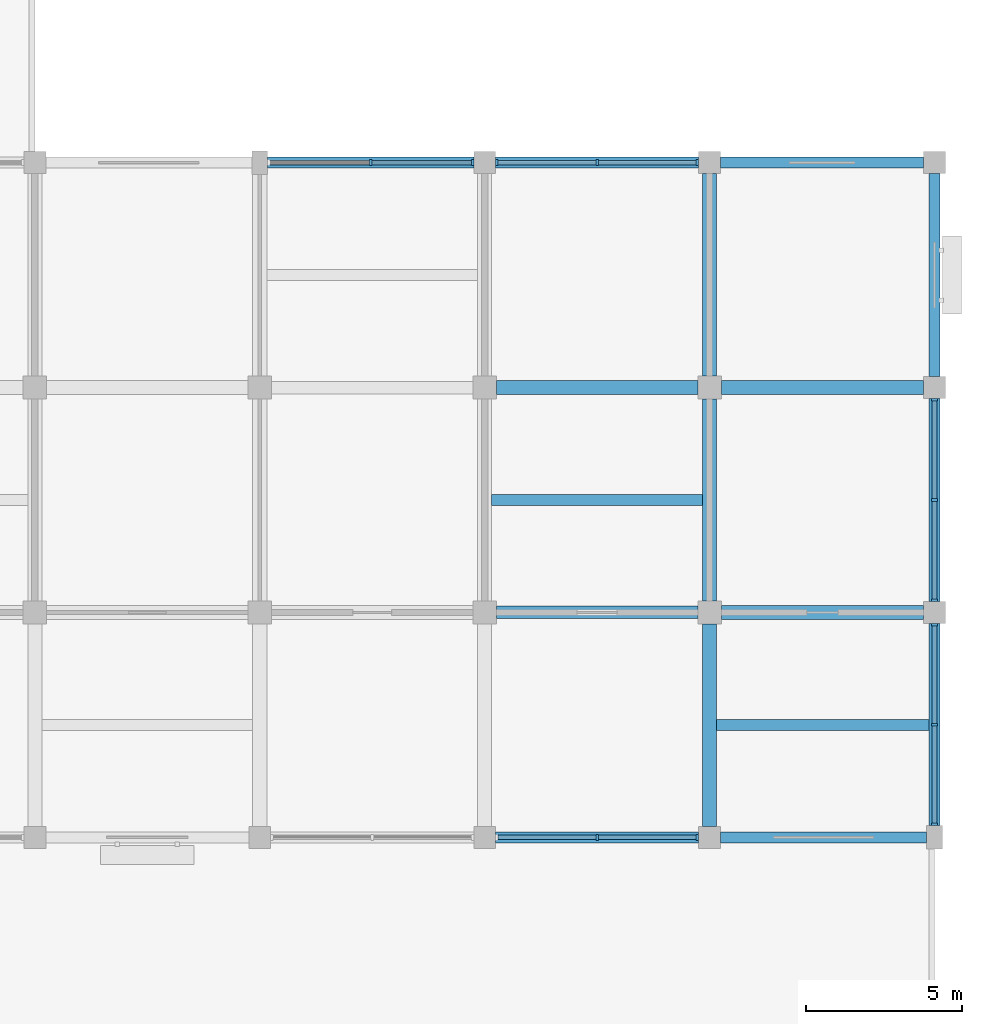
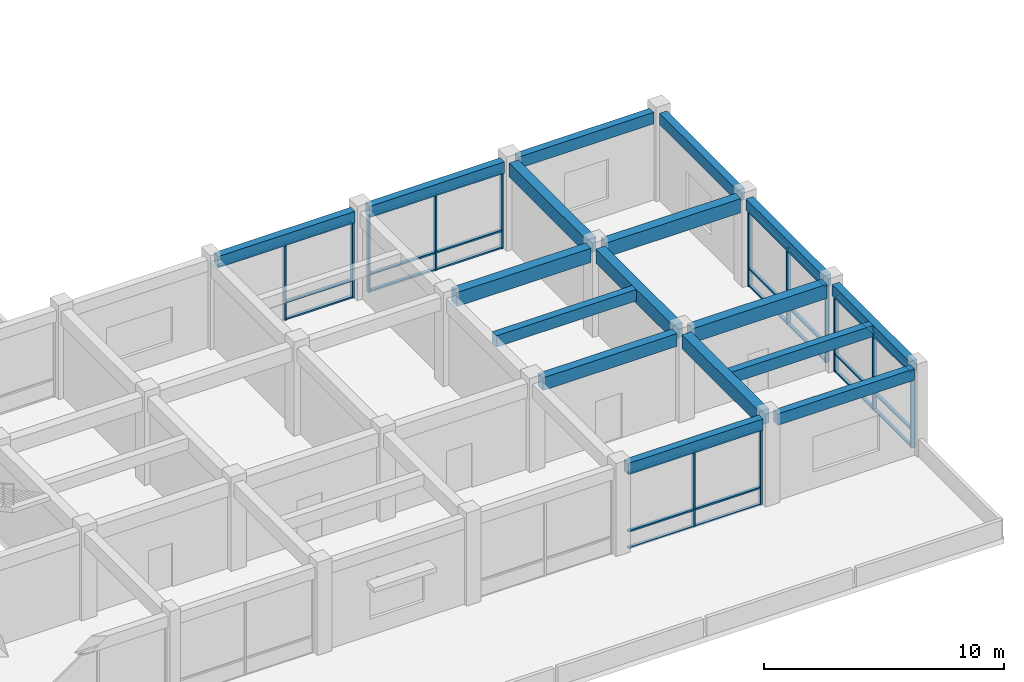
# One storey, part 13 of 30: 41 members, 17 beams, 5 elements without a shape of their own.
"""IFC4 building model written with IfcOpenShell, lengths in metres."""

from ifc_helpers import new_model, si_unit, direction, frame, origin, origin_2d, place, context, subcontext, project, spatial, rectangle, extrude, material, layer, layer_set, material_profile, profile_set, type_object, element, aggregate, save


model = new_model("IFC4")

# Units and contexts
model_context = context("Model", 3, precision=1e-05, world=origin(), true_north=direction((0.0, 1.0)))
body_context = subcontext(model_context, "Body", "Model", "MODEL_VIEW")
ifc_project = project(units=[si_unit("LENGTHUNIT", "METRE"), si_unit("AREAUNIT", "SQUARE_METRE"), si_unit("VOLUMEUNIT", "CUBIC_METRE"), si_unit("PLANEANGLEUNIT", "RADIAN"), si_unit("MASSUNIT", "GRAM", prefix="KILO")], contexts=[model_context])

# Site, building, storey
site_placement = place(None, origin())
site = spatial("IfcSite", under=ifc_project, at=site_placement, CompositionType="ELEMENT")
building_placement = place(site_placement, origin())
building = spatial("IfcBuilding", under=site, at=building_placement, Name="Cendaluz Park School", CompositionType="ELEMENT")
storey_placement = place(building_placement, frame((0.0, 0.0, 9.60009765625)))
storey = spatial("IfcBuildingStorey", under=building, at=storey_placement, Name="L02", CompositionType="ELEMENT", Elevation=9.60009765625)

# Beams
ifc_material_1 = material(Name="Concrete C40/50", Category="concrete")
ifc_material_profile_1 = material_profile(ifc_material_1, rectangle(XDim=0.449951171875, YDim=0.719970703125, at=origin_2d()), Name="RC 450x720", Category="concrete")
ifc_profile_set_1 = profile_set([ifc_material_profile_1], Name="Concrete C40/50")
beam_type_1 = type_object("IfcBeamType", Name="BM-RC02", PredefinedType="BEAM", material=ifc_profile_set_1)
beam_1_placement = place(storey_placement, frame((158.77490234375, 21.60009765625, 4.099853515625), z_axis=(1.0, 0.0, 0.0), x_axis=(0.0, 1.0, 0.0)))
element("IfcBeam", 1, at=beam_1_placement, inside=storey, type_object=beam_type_1, Name="BM-L02-BMRC02-0121", PredefinedType="BEAM", context=body_context, shape_type="SweptSolid", body=[
    extrude(rectangle(XDim=0.449951171875, YDim=0.719970703125, at=origin_2d()), origin(), (0.0, 0.0, 1.0), 6.4501953125),
])
for number, where, z_axis, x_axis, name in (
    (2, (165.97509765625, 14.39990234375, 4.099853515625), (1.0, 0.0, 0.0), (0.0, 1.0, 0.0), "BM-L02-BMRC02-0124"),
    (3, (165.97509765625, 21.60009765625, 4.099853515625), (1.0, 0.0, 0.0), (0.0, 1.0, 0.0), "BM-L02-BMRC02-0125"),
    (4, (165.60009765625, 7.550048828125, 4.099853515625), (0.0, 1.0, 0.0), (-1.0, 0.0, 0.0), "BM-L02-BMRC02-0238"),
):
    element("IfcBeam", number, at=place(storey_placement, frame(where, z_axis=z_axis, x_axis=x_axis)), inside=storey, type_object=beam_type_1, Name=name, PredefinedType="BEAM", context=body_context, shape_type="SweptSolid", body=[
        extrude(rectangle(XDim=0.449951171875, YDim=0.719970703125, at=origin_2d()), origin(), (0.0, 0.0, 1.0), 6.474853515625),
    ])
beam_2_placement = place(storey_placement, frame((165.60009765625, 14.77490234375, 4.099853515625), z_axis=(0.0, 1.0, 0.0), x_axis=(-1.0, 0.0, 0.0)))
element("IfcBeam", 5, at=beam_2_placement, inside=storey, type_object=beam_type_1, Name="BM-L02-BMRC02-0239", PredefinedType="BEAM", context=body_context, shape_type="SweptSolid", body=[
    extrude(rectangle(XDim=0.449951171875, YDim=0.719970703125, at=origin_2d()), origin(), (0.0, 0.0, 1.0), 6.4501953125),
])
beam_3_placement = place(storey_placement, frame((165.60009765625, 21.97509765625, 4.099853515625), z_axis=(0.0, 1.0, 0.0), x_axis=(-1.0, 0.0, 0.0)))
element("IfcBeam", 6, at=beam_3_placement, inside=storey, type_object=beam_type_1, Name="BM-L02-BMRC02-0240", PredefinedType="BEAM", context=body_context, shape_type="SweptSolid", body=[
    extrude(rectangle(XDim=0.449951171875, YDim=0.719970703125, at=origin_2d()), origin(), (0.0, 0.0, 1.0), 6.474853515625),
])
ifc_material_profile_2 = material_profile(ifc_material_1, rectangle(XDim=0.39990234375, YDim=0.64990234375, at=origin_2d()), Name="RC 400x650", Category="concrete")
ifc_profile_set_2 = profile_set([ifc_material_profile_2], Name="Concrete C40/50")
beam_type_2 = type_object("IfcBeamType", Name="BM-RC03", PredefinedType="T_BEAM", material=ifc_profile_set_2)
beam_4_placement = place(storey_placement, frame((158.77490234375, 14.39990234375, 4.135009765625), z_axis=(1.0, 0.0, 0.0), x_axis=(0.0, 1.0, 0.0)))
element("IfcBeam", 7, at=beam_4_placement, inside=storey, type_object=beam_type_2, Name="BM-L02-BMRC03-0120", PredefinedType="T_BEAM", context=body_context, shape_type="SweptSolid", body=[
    extrude(rectangle(XDim=0.39990234375, YDim=0.64990234375, at=origin_2d()), origin(), (0.0, 0.0, 1.0), 6.4501953125),
])
ifc_material_profile_3 = material_profile(ifc_material_1, rectangle(XDim=0.35009765625, YDim=0.580078125, at=origin_2d()), Name="RC 350x580", Category="concrete")
ifc_profile_set_3 = profile_set([ifc_material_profile_3], Name="Concrete C40/50")
beam_type_3 = type_object("IfcBeamType", Name="BM-RC04", PredefinedType="LINTEL", material=ifc_profile_set_3)
beam_5_placement = place(storey_placement, frame((151.449951171875, 28.800048828125, 4.169921875), z_axis=(1.0, 0.0, 0.0), x_axis=(0.0, 1.0, 0.0)))
element("IfcBeam", 8, at=beam_5_placement, inside=storey, type_object=beam_type_3, Name="BM-L02-BMRC04-0118", PredefinedType="LINTEL", context=body_context, shape_type="SweptSolid", body=[
    extrude(rectangle(XDim=0.35009765625, YDim=0.580078125, at=origin_2d()), origin(), (0.0, 0.0, 1.0), 6.60009765625),
])
for number, where, z_axis, x_axis, name in (
    (9, (158.75, 7.199951171875, 4.169921875), (1.0, 0.0, 0.0), (0.0, 1.0, 0.0), "BM-L02-BMRC04-0119"),
    (10, (158.75, 28.800048828125, 4.169921875), (1.0, 0.0, 0.0), (0.0, 1.0, 0.0), "BM-L02-BMRC04-0122"),
):
    element("IfcBeam", number, at=place(storey_placement, frame(where, z_axis=z_axis, x_axis=x_axis)), inside=storey, type_object=beam_type_3, Name=name, PredefinedType="LINTEL", context=body_context, shape_type="SweptSolid", body=[
        extrude(rectangle(XDim=0.35009765625, YDim=0.580078125, at=origin_2d()), origin(), (0.0, 0.0, 1.0), 6.5),
    ])
beam_6_placement = place(storey_placement, frame((165.949951171875, 7.199951171875, 4.169921875), z_axis=(1.0, 0.0, 0.0), x_axis=(0.0, 1.0, 0.0)))
element("IfcBeam", 11, at=beam_6_placement, inside=storey, type_object=beam_type_3, Name="BM-L02-BMRC04-0123", PredefinedType="LINTEL", context=body_context, shape_type="SweptSolid", body=[
    extrude(rectangle(XDim=0.35009765625, YDim=0.580078125, at=origin_2d()), origin(), (0.0, 0.0, 1.0), 6.60009765625),
])
beam_7_placement = place(storey_placement, frame((165.949951171875, 28.800048828125, 4.169921875), z_axis=(1.0, 0.0, 0.0), x_axis=(0.0, 1.0, 0.0)))
element("IfcBeam", 12, at=beam_7_placement, inside=storey, type_object=beam_type_3, Name="BM-L02-BMRC04-0126", PredefinedType="LINTEL", context=body_context, shape_type="SweptSolid", body=[
    extrude(rectangle(XDim=0.35009765625, YDim=0.580078125, at=origin_2d()), origin(), (0.0, 0.0, 1.0), 6.5),
])
beam_8_placement = place(storey_placement, frame((172.800048828125, 7.574951171875, 4.169921875), z_axis=(0.0, 1.0, 0.0), x_axis=(-1.0, 0.0, 0.0)))
element("IfcBeam", 13, at=beam_8_placement, inside=storey, type_object=beam_type_3, Name="BM-L02-BMRC04-0241", PredefinedType="LINTEL", context=body_context, shape_type="SweptSolid", body=[
    extrude(rectangle(XDim=0.35009765625, YDim=0.580078125, at=origin_2d()), origin(), (0.0, 0.0, 1.0), 6.47509765625),
])
for number, where, z_axis, x_axis, name in (
    (14, (172.800048828125, 14.75, 4.169921875), (0.0, 1.0, 0.0), (-1.0, 0.0, 0.0), "BM-L02-BMRC04-0242"),
    (15, (172.800048828125, 21.949951171875, 4.169921875), (0.0, 1.0, 0.0), (-1.0, 0.0, 0.0), "BM-L02-BMRC04-0243"),
):
    element("IfcBeam", number, at=place(storey_placement, frame(where, z_axis=z_axis, x_axis=x_axis)), inside=storey, type_object=beam_type_3, Name=name, PredefinedType="LINTEL", context=body_context, shape_type="SweptSolid", body=[
        extrude(rectangle(XDim=0.35009765625, YDim=0.580078125, at=origin_2d()), origin(), (0.0, 0.0, 1.0), 6.5),
    ])

# Curtain wall, members
ifc_material_2 = material(Name="Anodised Aluminium 6063-T6", Category="aluminium")
ifc_layer_1 = layer(ifc_material_2, 0.179931640625)
ifc_layer_set_1 = layer_set([ifc_layer_1], Name="Anodised Aluminium 6063-T6")
curtain_wall_type_1 = type_object("IfcCurtainWallType", Name="CW-132x78", PredefinedType="NOTDEFINED", material=ifc_layer_set_1)
curtain_wall_1_placement = place(storey_placement, origin())
curtain_wall_1 = element("IfcCurtainWall", 16, at=curtain_wall_1_placement, inside=storey, type_object=curtain_wall_type_1, Name="CW-L02-126", PredefinedType="NOTDEFINED")
ifc_material_profile_4 = material_profile(ifc_material_2, rectangle(XDim=0.199951171875, YDim=0.080078125, at=origin_2d()), Name="CWM 200x80", Category="aluminium")
ifc_profile_set_4 = profile_set([ifc_material_profile_4], Name="Anodised Aluminium 6063-T6")
member_type_1 = type_object("IfcMemberType", Name="CWM-02", PredefinedType="MULLION", material=ifc_profile_set_4)
member_1_placement = place(storey_placement, frame((154.75, 28.800048828125, 0.0), z_axis=(0.0, 0.0, 1.0), x_axis=(0.0, 1.0, 0.0)))
member_1 = element("IfcMember", 17, at=member_1_placement, type_object=member_type_1, Name="CP-L02-1627", PredefinedType="MULLION", context=body_context, shape_type="SweptSolid", body=[
    extrude(rectangle(XDim=0.199951171875, YDim=0.080078125, at=origin_2d()), origin(), (0.0, 0.0, 1.0), 3.8798828125),
])
member_2_placement = place(storey_placement, frame((158.010009765625, 28.800048828125, 0.0), z_axis=(0.0, 0.0, 1.0), x_axis=(0.0, 1.0, 0.0)))
member_2 = element("IfcMember", 18, at=member_2_placement, type_object=member_type_1, Name="CP-L02-1628", PredefinedType="MULLION", context=body_context, shape_type="SweptSolid", body=[
    extrude(rectangle(XDim=0.199951171875, YDim=0.080078125, at=origin_2d()), origin(), (0.0, 0.0, 1.0), 3.8798828125),
])

ifc_layer_2 = layer(ifc_material_2, 0.179931640625)
ifc_layer_set_2 = layer_set([ifc_layer_2], Name="Anodised Aluminium 6063-T6")
curtain_wall_type_2 = type_object("IfcCurtainWallType", Name="CW-130x78", PredefinedType="NOTDEFINED", material=ifc_layer_set_2)
curtain_wall_2_placement = place(storey_placement, origin())
curtain_wall_2 = element("IfcCurtainWall", 19, at=curtain_wall_2_placement, inside=storey, type_object=curtain_wall_type_2, Name="CW-L02-127", PredefinedType="NOTDEFINED")
member_3_placement = place(storey_placement, frame((162.0, 7.199951171875, 0.0), z_axis=(0.0, 0.0, 1.0), x_axis=(0.0, 1.0, 0.0)))
member_3 = element("IfcMember", 20, at=member_3_placement, type_object=member_type_1, Name="CP-L02-1640", PredefinedType="MULLION", context=body_context, shape_type="SweptSolid", body=[
    extrude(rectangle(XDim=0.199951171875, YDim=0.080078125, at=origin_2d()), origin(), (0.0, 0.0, 1.0), 3.8798828125),
])
member_4_placement = place(storey_placement, frame((165.2099609375, 7.199951171875, 0.0), z_axis=(0.0, 0.0, 1.0), x_axis=(0.0, 1.0, 0.0)))
member_4 = element("IfcMember", 21, at=member_4_placement, type_object=member_type_1, Name="CP-L02-1641", PredefinedType="MULLION", context=body_context, shape_type="SweptSolid", body=[
    extrude(rectangle(XDim=0.199951171875, YDim=0.080078125, at=origin_2d()), origin(), (0.0, 0.0, 1.0), 3.8798828125),
])

curtain_wall_3_placement = place(storey_placement, origin())
curtain_wall_3 = element("IfcCurtainWall", 22, at=curtain_wall_3_placement, inside=storey, type_object=curtain_wall_type_2, Name="CW-L02-128", PredefinedType="NOTDEFINED")
member_5_placement = place(storey_placement, frame((158.7900390625, 28.800048828125, 0.0), z_axis=(0.0, 0.0, 1.0), x_axis=(0.0, 1.0, 0.0)))
member_5 = element("IfcMember", 23, at=member_5_placement, type_object=member_type_1, Name="CP-L02-1652", PredefinedType="MULLION", context=body_context, shape_type="SweptSolid", body=[
    extrude(rectangle(XDim=0.199951171875, YDim=0.080078125, at=origin_2d()), origin(), (0.0, 0.0, 1.0), 3.8798828125),
])
member_6_placement = place(storey_placement, frame((162.0, 28.800048828125, 0.0), z_axis=(0.0, 0.0, 1.0), x_axis=(0.0, 1.0, 0.0)))
member_6 = element("IfcMember", 24, at=member_6_placement, type_object=member_type_1, Name="CP-L02-1653", PredefinedType="MULLION", context=body_context, shape_type="SweptSolid", body=[
    extrude(rectangle(XDim=0.199951171875, YDim=0.080078125, at=origin_2d()), origin(), (0.0, 0.0, 1.0), 3.8798828125),
])
member_7_placement = place(storey_placement, frame((165.2099609375, 28.800048828125, 0.0), z_axis=(0.0, 0.0, 1.0), x_axis=(0.0, 1.0, 0.0)))
member_7 = element("IfcMember", 25, at=member_7_placement, type_object=member_type_1, Name="CP-L02-1654", PredefinedType="MULLION", context=body_context, shape_type="SweptSolid", body=[
    extrude(rectangle(XDim=0.199951171875, YDim=0.080078125, at=origin_2d()), origin(), (0.0, 0.0, 1.0), 3.8798828125),
])

curtain_wall_4_placement = place(storey_placement, origin())
curtain_wall_4 = element("IfcCurtainWall", 26, at=curtain_wall_4_placement, inside=storey, type_object=curtain_wall_type_2, Name="CW-L02-129", PredefinedType="NOTDEFINED")
member_8_placement = place(storey_placement, frame((172.800048828125, 7.614990234375, 0.0), z_axis=(0.0, 0.0, 1.0), x_axis=(-1.0, 0.0, 0.0)))
member_8 = element("IfcMember", 27, at=member_8_placement, type_object=member_type_1, Name="CP-L02-1665", PredefinedType="MULLION", context=body_context, shape_type="SweptSolid", body=[
    extrude(rectangle(XDim=0.199951171875, YDim=0.080078125, at=origin_2d()), origin(), (0.0, 0.0, 1.0), 3.8798828125),
])
member_9_placement = place(storey_placement, frame((172.800048828125, 10.8125, 0.0), z_axis=(0.0, 0.0, 1.0), x_axis=(-1.0, 0.0, 0.0)))
member_9 = element("IfcMember", 28, at=member_9_placement, type_object=member_type_1, Name="CP-L02-1666", PredefinedType="MULLION", context=body_context, shape_type="SweptSolid", body=[
    extrude(rectangle(XDim=0.199951171875, YDim=0.080078125, at=origin_2d()), origin(), (0.0, 0.0, 1.0), 3.8798828125),
])
member_10_placement = place(storey_placement, frame((172.800048828125, 14.010009765625, 0.0), z_axis=(0.0, 0.0, 1.0), x_axis=(-1.0, 0.0, 0.0)))
member_10 = element("IfcMember", 29, at=member_10_placement, type_object=member_type_1, Name="CP-L02-1667", PredefinedType="MULLION", context=body_context, shape_type="SweptSolid", body=[
    extrude(rectangle(XDim=0.199951171875, YDim=0.080078125, at=origin_2d()), origin(), (0.0, 0.0, 1.0), 3.8798828125),
])

curtain_wall_5_placement = place(storey_placement, origin())
curtain_wall_5 = element("IfcCurtainWall", 30, at=curtain_wall_5_placement, inside=storey, type_object=curtain_wall_type_2, Name="CW-L02-130", PredefinedType="NOTDEFINED")
member_11_placement = place(storey_placement, frame((172.800048828125, 14.7900390625, 0.0), z_axis=(0.0, 0.0, 1.0), x_axis=(-1.0, 0.0, 0.0)))
member_11 = element("IfcMember", 31, at=member_11_placement, type_object=member_type_1, Name="CP-L02-1678", PredefinedType="MULLION", context=body_context, shape_type="SweptSolid", body=[
    extrude(rectangle(XDim=0.199951171875, YDim=0.080078125, at=origin_2d()), origin(), (0.0, 0.0, 1.0), 3.8798828125),
])
member_12_placement = place(storey_placement, frame((172.800048828125, 18.0, 0.0), z_axis=(0.0, 0.0, 1.0), x_axis=(-1.0, 0.0, 0.0)))
member_12 = element("IfcMember", 32, at=member_12_placement, type_object=member_type_1, Name="CP-L02-1679", PredefinedType="MULLION", context=body_context, shape_type="SweptSolid", body=[
    extrude(rectangle(XDim=0.199951171875, YDim=0.080078125, at=origin_2d()), origin(), (0.0, 0.0, 1.0), 3.8798828125),
])
member_13_placement = place(storey_placement, frame((172.800048828125, 21.2099609375, 0.0), z_axis=(0.0, 0.0, 1.0), x_axis=(-1.0, 0.0, 0.0)))
member_13 = element("IfcMember", 33, at=member_13_placement, type_object=member_type_1, Name="CP-L02-1680", PredefinedType="MULLION", context=body_context, shape_type="SweptSolid", body=[
    extrude(rectangle(XDim=0.199951171875, YDim=0.080078125, at=origin_2d()), origin(), (0.0, 0.0, 1.0), 3.8798828125),
])

# Member
ifc_material_profile_5 = material_profile(ifc_material_2, rectangle(XDim=0.14990234375, YDim=0.080078125, at=origin_2d()), Name="CWT 150x80", Category="aluminium")
ifc_profile_set_5 = profile_set([ifc_material_profile_5], Name="Anodised Aluminium 6063-T6")
member_type_2 = type_object("IfcMemberType", Name="CWT-02", PredefinedType="USERDEFINED", material=ifc_profile_set_5)
member_14_placement = place(storey_placement, frame((151.530029296875, 28.800048828125, 3.83984375), z_axis=(1.0, 0.0, 0.0), x_axis=(0.0, 1.0, 0.0)))
member_14 = element("IfcMember", 34, at=member_14_placement, type_object=member_type_2, Name="CP-L02-1631", ObjectType="TRANSOM", PredefinedType="USERDEFINED", context=body_context, shape_type="SweptSolid", body=[
    extrude(rectangle(XDim=0.14990234375, YDim=0.080078125, at=origin_2d()), origin(), (0.0, 0.0, 1.0), 3.179931640625),
])

member_15_placement = place(storey_placement, frame((154.7900390625, 28.800048828125, 0.039794921875), z_axis=(1.0, 0.0, 0.0), x_axis=(0.0, 1.0, 0.0)))
member_15 = element("IfcMember", 35, at=member_15_placement, type_object=member_type_2, Name="CP-L02-1634", ObjectType="TRANSOM", PredefinedType="USERDEFINED", context=body_context, shape_type="SweptSolid", body=[
    extrude(rectangle(XDim=0.14990234375, YDim=0.080078125, at=origin_2d()), origin(), (0.0, 0.0, 1.0), 3.179931640625),
])

member_16_placement = place(storey_placement, frame((154.7900390625, 28.800048828125, 0.89990234375), z_axis=(1.0, 0.0, 0.0), x_axis=(0.0, 1.0, 0.0)))
member_16 = element("IfcMember", 36, at=member_16_placement, type_object=member_type_2, Name="CP-L02-1635", ObjectType="TRANSOM", PredefinedType="USERDEFINED", context=body_context, shape_type="SweptSolid", body=[
    extrude(rectangle(XDim=0.14990234375, YDim=0.080078125, at=origin_2d()), origin(), (0.0, 0.0, 1.0), 3.179931640625),
])

member_17_placement = place(storey_placement, frame((154.7900390625, 28.800048828125, 3.83984375), z_axis=(1.0, 0.0, 0.0), x_axis=(0.0, 1.0, 0.0)))
member_17 = element("IfcMember", 37, at=member_17_placement, type_object=member_type_2, Name="CP-L02-1636", ObjectType="TRANSOM", PredefinedType="USERDEFINED", context=body_context, shape_type="SweptSolid", body=[
    extrude(rectangle(XDim=0.14990234375, YDim=0.080078125, at=origin_2d()), origin(), (0.0, 0.0, 1.0), 3.179931640625),
])

aggregate(curtain_wall_1, [member_1, member_2, member_14, member_15, member_16, member_17])

member_18_placement = place(storey_placement, frame((158.830078125, 7.199951171875, 0.039794921875), z_axis=(1.0, 0.0, 0.0), x_axis=(0.0, 1.0, 0.0)))
member_18 = element("IfcMember", 38, at=member_18_placement, type_object=member_type_2, Name="CP-L02-1642", ObjectType="TRANSOM", PredefinedType="USERDEFINED", context=body_context, shape_type="SweptSolid", body=[
    extrude(rectangle(XDim=0.14990234375, YDim=0.080078125, at=origin_2d()), origin(), (0.0, 0.0, 1.0), 3.1298828125),
])

member_19_placement = place(storey_placement, frame((158.830078125, 7.199951171875, 0.89990234375), z_axis=(1.0, 0.0, 0.0), x_axis=(0.0, 1.0, 0.0)))
member_19 = element("IfcMember", 39, at=member_19_placement, type_object=member_type_2, Name="CP-L02-1643", ObjectType="TRANSOM", PredefinedType="USERDEFINED", context=body_context, shape_type="SweptSolid", body=[
    extrude(rectangle(XDim=0.14990234375, YDim=0.080078125, at=origin_2d()), origin(), (0.0, 0.0, 1.0), 3.1298828125),
])

member_20_placement = place(storey_placement, frame((158.830078125, 7.199951171875, 3.83984375), z_axis=(1.0, 0.0, 0.0), x_axis=(0.0, 1.0, 0.0)))
member_20 = element("IfcMember", 40, at=member_20_placement, type_object=member_type_2, Name="CP-L02-1644", ObjectType="TRANSOM", PredefinedType="USERDEFINED", context=body_context, shape_type="SweptSolid", body=[
    extrude(rectangle(XDim=0.14990234375, YDim=0.080078125, at=origin_2d()), origin(), (0.0, 0.0, 1.0), 3.1298828125),
])

member_21_placement = place(storey_placement, frame((162.0400390625, 7.199951171875, 0.039794921875), z_axis=(1.0, 0.0, 0.0), x_axis=(0.0, 1.0, 0.0)))
member_21 = element("IfcMember", 41, at=member_21_placement, type_object=member_type_2, Name="CP-L02-1647", ObjectType="TRANSOM", PredefinedType="USERDEFINED", context=body_context, shape_type="SweptSolid", body=[
    extrude(rectangle(XDim=0.14990234375, YDim=0.080078125, at=origin_2d()), origin(), (0.0, 0.0, 1.0), 3.1298828125),
])

member_22_placement = place(storey_placement, frame((162.0400390625, 7.199951171875, 0.89990234375), z_axis=(1.0, 0.0, 0.0), x_axis=(0.0, 1.0, 0.0)))
member_22 = element("IfcMember", 42, at=member_22_placement, type_object=member_type_2, Name="CP-L02-1648", ObjectType="TRANSOM", PredefinedType="USERDEFINED", context=body_context, shape_type="SweptSolid", body=[
    extrude(rectangle(XDim=0.14990234375, YDim=0.080078125, at=origin_2d()), origin(), (0.0, 0.0, 1.0), 3.1298828125),
])

member_23_placement = place(storey_placement, frame((162.0400390625, 7.199951171875, 3.83984375), z_axis=(1.0, 0.0, 0.0), x_axis=(0.0, 1.0, 0.0)))
member_23 = element("IfcMember", 43, at=member_23_placement, type_object=member_type_2, Name="CP-L02-1649", ObjectType="TRANSOM", PredefinedType="USERDEFINED", context=body_context, shape_type="SweptSolid", body=[
    extrude(rectangle(XDim=0.14990234375, YDim=0.080078125, at=origin_2d()), origin(), (0.0, 0.0, 1.0), 3.1298828125),
])

aggregate(curtain_wall_2, [member_3, member_4, member_18, member_19, member_20, member_21, member_22, member_23])

member_24_placement = place(storey_placement, frame((158.830078125, 28.800048828125, 0.039794921875), z_axis=(1.0, 0.0, 0.0), x_axis=(0.0, 1.0, 0.0)))
member_24 = element("IfcMember", 44, at=member_24_placement, type_object=member_type_2, Name="CP-L02-1655", ObjectType="TRANSOM", PredefinedType="USERDEFINED", context=body_context, shape_type="SweptSolid", body=[
    extrude(rectangle(XDim=0.14990234375, YDim=0.080078125, at=origin_2d()), origin(), (0.0, 0.0, 1.0), 3.1298828125),
])

member_25_placement = place(storey_placement, frame((158.830078125, 28.800048828125, 0.89990234375), z_axis=(1.0, 0.0, 0.0), x_axis=(0.0, 1.0, 0.0)))
member_25 = element("IfcMember", 45, at=member_25_placement, type_object=member_type_2, Name="CP-L02-1656", ObjectType="TRANSOM", PredefinedType="USERDEFINED", context=body_context, shape_type="SweptSolid", body=[
    extrude(rectangle(XDim=0.14990234375, YDim=0.080078125, at=origin_2d()), origin(), (0.0, 0.0, 1.0), 3.1298828125),
])

member_26_placement = place(storey_placement, frame((158.830078125, 28.800048828125, 3.83984375), z_axis=(1.0, 0.0, 0.0), x_axis=(0.0, 1.0, 0.0)))
member_26 = element("IfcMember", 46, at=member_26_placement, type_object=member_type_2, Name="CP-L02-1657", ObjectType="TRANSOM", PredefinedType="USERDEFINED", context=body_context, shape_type="SweptSolid", body=[
    extrude(rectangle(XDim=0.14990234375, YDim=0.080078125, at=origin_2d()), origin(), (0.0, 0.0, 1.0), 3.1298828125),
])

member_27_placement = place(storey_placement, frame((162.0400390625, 28.800048828125, 0.039794921875), z_axis=(1.0, 0.0, 0.0), x_axis=(0.0, 1.0, 0.0)))
member_27 = element("IfcMember", 47, at=member_27_placement, type_object=member_type_2, Name="CP-L02-1660", ObjectType="TRANSOM", PredefinedType="USERDEFINED", context=body_context, shape_type="SweptSolid", body=[
    extrude(rectangle(XDim=0.14990234375, YDim=0.080078125, at=origin_2d()), origin(), (0.0, 0.0, 1.0), 3.1298828125),
])

member_28_placement = place(storey_placement, frame((162.0400390625, 28.800048828125, 0.89990234375), z_axis=(1.0, 0.0, 0.0), x_axis=(0.0, 1.0, 0.0)))
member_28 = element("IfcMember", 48, at=member_28_placement, type_object=member_type_2, Name="CP-L02-1661", ObjectType="TRANSOM", PredefinedType="USERDEFINED", context=body_context, shape_type="SweptSolid", body=[
    extrude(rectangle(XDim=0.14990234375, YDim=0.080078125, at=origin_2d()), origin(), (0.0, 0.0, 1.0), 3.1298828125),
])

member_29_placement = place(storey_placement, frame((162.0400390625, 28.800048828125, 3.83984375), z_axis=(1.0, 0.0, 0.0), x_axis=(0.0, 1.0, 0.0)))
member_29 = element("IfcMember", 49, at=member_29_placement, type_object=member_type_2, Name="CP-L02-1662", ObjectType="TRANSOM", PredefinedType="USERDEFINED", context=body_context, shape_type="SweptSolid", body=[
    extrude(rectangle(XDim=0.14990234375, YDim=0.080078125, at=origin_2d()), origin(), (0.0, 0.0, 1.0), 3.1298828125),
])

aggregate(curtain_wall_3, [member_5, member_6, member_7, member_24, member_25, member_26, member_27, member_28, member_29])

member_30_placement = place(storey_placement, frame((172.800048828125, 7.655029296875, 0.039794921875), z_axis=(0.0, 1.0, 0.0), x_axis=(-1.0, 0.0, 0.0)))
member_30 = element("IfcMember", 50, at=member_30_placement, type_object=member_type_2, Name="CP-L02-1668", ObjectType="TRANSOM", PredefinedType="USERDEFINED", context=body_context, shape_type="SweptSolid", body=[
    extrude(rectangle(XDim=0.14990234375, YDim=0.080078125, at=origin_2d()), origin(), (0.0, 0.0, 1.0), 3.117431640625),
])

member_31_placement = place(storey_placement, frame((172.800048828125, 7.655029296875, 0.89990234375), z_axis=(0.0, 1.0, 0.0), x_axis=(-1.0, 0.0, 0.0)))
member_31 = element("IfcMember", 51, at=member_31_placement, type_object=member_type_2, Name="CP-L02-1669", ObjectType="TRANSOM", PredefinedType="USERDEFINED", context=body_context, shape_type="SweptSolid", body=[
    extrude(rectangle(XDim=0.14990234375, YDim=0.080078125, at=origin_2d()), origin(), (0.0, 0.0, 1.0), 3.117431640625),
])

member_32_placement = place(storey_placement, frame((172.800048828125, 7.655029296875, 3.83984375), z_axis=(0.0, 1.0, 0.0), x_axis=(-1.0, 0.0, 0.0)))
member_32 = element("IfcMember", 52, at=member_32_placement, type_object=member_type_2, Name="CP-L02-1670", ObjectType="TRANSOM", PredefinedType="USERDEFINED", context=body_context, shape_type="SweptSolid", body=[
    extrude(rectangle(XDim=0.14990234375, YDim=0.080078125, at=origin_2d()), origin(), (0.0, 0.0, 1.0), 3.117431640625),
])

member_33_placement = place(storey_placement, frame((172.800048828125, 10.8525390625, 0.039794921875), z_axis=(0.0, 1.0, 0.0), x_axis=(-1.0, 0.0, 0.0)))
member_33 = element("IfcMember", 53, at=member_33_placement, type_object=member_type_2, Name="CP-L02-1673", ObjectType="TRANSOM", PredefinedType="USERDEFINED", context=body_context, shape_type="SweptSolid", body=[
    extrude(rectangle(XDim=0.14990234375, YDim=0.080078125, at=origin_2d()), origin(), (0.0, 0.0, 1.0), 3.117431640625),
])

member_34_placement = place(storey_placement, frame((172.800048828125, 10.8525390625, 0.89990234375), z_axis=(0.0, 1.0, 0.0), x_axis=(-1.0, 0.0, 0.0)))
member_34 = element("IfcMember", 54, at=member_34_placement, type_object=member_type_2, Name="CP-L02-1674", ObjectType="TRANSOM", PredefinedType="USERDEFINED", context=body_context, shape_type="SweptSolid", body=[
    extrude(rectangle(XDim=0.14990234375, YDim=0.080078125, at=origin_2d()), origin(), (0.0, 0.0, 1.0), 3.117431640625),
])

member_35_placement = place(storey_placement, frame((172.800048828125, 10.8525390625, 3.83984375), z_axis=(0.0, 1.0, 0.0), x_axis=(-1.0, 0.0, 0.0)))
member_35 = element("IfcMember", 55, at=member_35_placement, type_object=member_type_2, Name="CP-L02-1675", ObjectType="TRANSOM", PredefinedType="USERDEFINED", context=body_context, shape_type="SweptSolid", body=[
    extrude(rectangle(XDim=0.14990234375, YDim=0.080078125, at=origin_2d()), origin(), (0.0, 0.0, 1.0), 3.117431640625),
])

aggregate(curtain_wall_4, [member_8, member_9, member_10, member_30, member_31, member_32, member_33, member_34, member_35])

member_36_placement = place(storey_placement, frame((172.800048828125, 14.830078125, 0.039794921875), z_axis=(0.0, 1.0, 0.0), x_axis=(-1.0, 0.0, 0.0)))
member_36 = element("IfcMember", 56, at=member_36_placement, type_object=member_type_2, Name="CP-L02-1681", ObjectType="TRANSOM", PredefinedType="USERDEFINED", context=body_context, shape_type="SweptSolid", body=[
    extrude(rectangle(XDim=0.14990234375, YDim=0.080078125, at=origin_2d()), origin(), (0.0, 0.0, 1.0), 3.1298828125),
])

member_37_placement = place(storey_placement, frame((172.800048828125, 14.830078125, 0.89990234375), z_axis=(0.0, 1.0, 0.0), x_axis=(-1.0, 0.0, 0.0)))
member_37 = element("IfcMember", 57, at=member_37_placement, type_object=member_type_2, Name="CP-L02-1682", ObjectType="TRANSOM", PredefinedType="USERDEFINED", context=body_context, shape_type="SweptSolid", body=[
    extrude(rectangle(XDim=0.14990234375, YDim=0.080078125, at=origin_2d()), origin(), (0.0, 0.0, 1.0), 3.1298828125),
])

member_38_placement = place(storey_placement, frame((172.800048828125, 14.830078125, 3.83984375), z_axis=(0.0, 1.0, 0.0), x_axis=(-1.0, 0.0, 0.0)))
member_38 = element("IfcMember", 58, at=member_38_placement, type_object=member_type_2, Name="CP-L02-1683", ObjectType="TRANSOM", PredefinedType="USERDEFINED", context=body_context, shape_type="SweptSolid", body=[
    extrude(rectangle(XDim=0.14990234375, YDim=0.080078125, at=origin_2d()), origin(), (0.0, 0.0, 1.0), 3.1298828125),
])

member_39_placement = place(storey_placement, frame((172.800048828125, 18.0400390625, 0.039794921875), z_axis=(0.0, 1.0, 0.0), x_axis=(-1.0, 0.0, 0.0)))
member_39 = element("IfcMember", 59, at=member_39_placement, type_object=member_type_2, Name="CP-L02-1686", ObjectType="TRANSOM", PredefinedType="USERDEFINED", context=body_context, shape_type="SweptSolid", body=[
    extrude(rectangle(XDim=0.14990234375, YDim=0.080078125, at=origin_2d()), origin(), (0.0, 0.0, 1.0), 3.1298828125),
])

member_40_placement = place(storey_placement, frame((172.800048828125, 18.0400390625, 0.89990234375), z_axis=(0.0, 1.0, 0.0), x_axis=(-1.0, 0.0, 0.0)))
member_40 = element("IfcMember", 60, at=member_40_placement, type_object=member_type_2, Name="CP-L02-1687", ObjectType="TRANSOM", PredefinedType="USERDEFINED", context=body_context, shape_type="SweptSolid", body=[
    extrude(rectangle(XDim=0.14990234375, YDim=0.080078125, at=origin_2d()), origin(), (0.0, 0.0, 1.0), 3.1298828125),
])

member_41_placement = place(storey_placement, frame((172.800048828125, 18.0400390625, 3.83984375), z_axis=(0.0, 1.0, 0.0), x_axis=(-1.0, 0.0, 0.0)))
member_41 = element("IfcMember", 61, at=member_41_placement, type_object=member_type_2, Name="CP-L02-1688", ObjectType="TRANSOM", PredefinedType="USERDEFINED", context=body_context, shape_type="SweptSolid", body=[
    extrude(rectangle(XDim=0.14990234375, YDim=0.080078125, at=origin_2d()), origin(), (0.0, 0.0, 1.0), 3.1298828125),
])

aggregate(curtain_wall_5, [member_11, member_12, member_13, member_36, member_37, member_38, member_39, member_40, member_41])

# Beams
ifc_material_profile_6 = material_profile(ifc_material_1, rectangle(XDim=0.35009765625, YDim=0.580078125, at=origin_2d()), Name="RC 350x580", Category="concrete")
ifc_profile_set_6 = profile_set([ifc_material_profile_6], Name="Concrete C40/50")
beam_type_4 = type_object("IfcBeamType", Name="JT-RC01", PredefinedType="JOIST", material=ifc_profile_set_6)
beam_9_placement = place(storey_placement, frame((158.625, 18.0, 4.169921875), z_axis=(1.0, 0.0, 0.0), x_axis=(0.0, 1.0, 0.0)))
element("IfcBeam", 62, at=beam_9_placement, inside=storey, type_object=beam_type_4, Name="BM-L02-JTRC01-0274", PredefinedType="JOIST", context=body_context, shape_type="SweptSolid", body=[
    extrude(rectangle(XDim=0.35009765625, YDim=0.580078125, at=origin_2d()), origin(), (0.0, 0.0, 1.0), 6.75),
])
beam_10_placement = place(storey_placement, frame((165.824951171875, 10.800048828125, 4.169921875), z_axis=(1.0, 0.0, 0.0), x_axis=(0.0, 1.0, 0.0)))
element("IfcBeam", 63, at=beam_10_placement, inside=storey, type_object=beam_type_4, Name="BM-L02-JTRC01-0275", PredefinedType="JOIST", context=body_context, shape_type="SweptSolid", body=[
    extrude(rectangle(XDim=0.35009765625, YDim=0.580078125, at=origin_2d()), origin(), (0.0, 0.0, 1.0), 6.800048828125),
])

save(model, "model.ifc")
